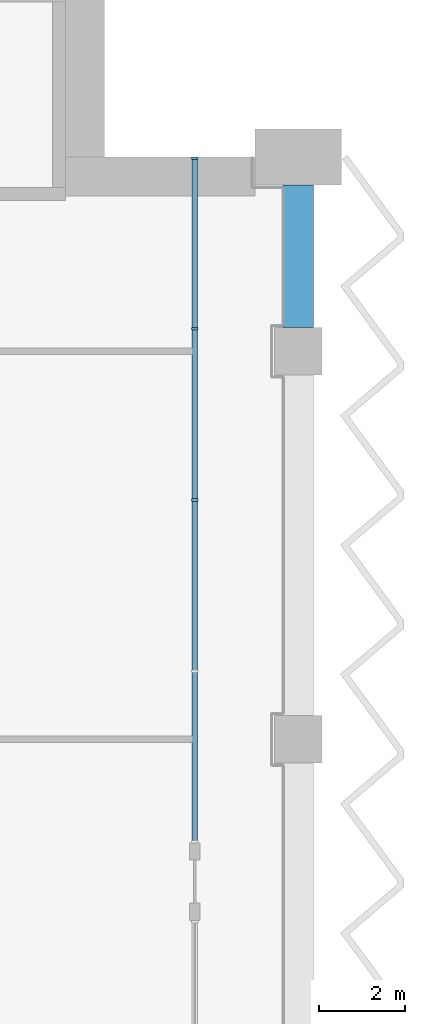
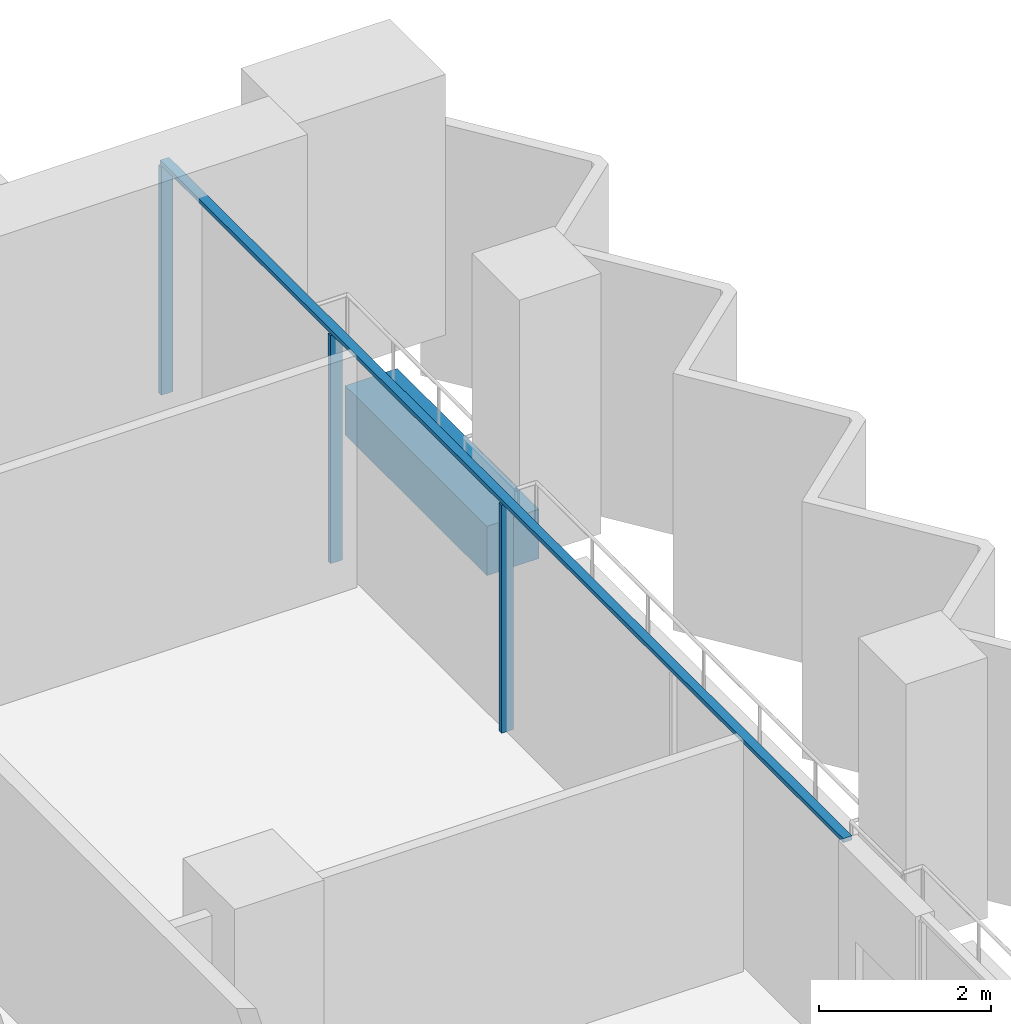
# One storey, part 6 of 23: 4 members, 1 beam, 1 element without a shape of its own.
"""IFC4 building model written with IfcOpenShell, lengths in metres."""

from ifc_helpers import new_model, si_unit, direction, frame, origin, origin_2d, place, context, subcontext, project, spatial, rectangle, extrude, material, material_profile, profile_set, type_object, element, aggregate, save


model = new_model("IFC4")

# Units and contexts
model_context = context("Model", 3, precision=1e-05, world=origin(), true_north=direction((0.0, 1.0)))
body_context = subcontext(model_context, "Body", "Model", "MODEL_VIEW")
ifc_project = project(units=[si_unit("LENGTHUNIT", "METRE"), si_unit("AREAUNIT", "SQUARE_METRE"), si_unit("VOLUMEUNIT", "CUBIC_METRE"), si_unit("PLANEANGLEUNIT", "RADIAN"), si_unit("MASSUNIT", "GRAM", prefix="KILO")], contexts=[model_context])

# Site, building, storey
site_placement = place(None, origin())
site = spatial("IfcSite", under=ifc_project, at=site_placement, CompositionType="ELEMENT")
building_placement = place(site_placement, origin())
building = spatial("IfcBuilding", under=site, at=building_placement, Name="Hunhe Ridgeline Campus", CompositionType="ELEMENT")
storey_placement = place(building_placement, frame((0.0, 0.0, 152.300048828125)))
storey = spatial("IfcBuildingStorey", under=building, at=storey_placement, Name="L38", CompositionType="ELEMENT", Elevation=152.300048828125)

# Curtain wall, members
ifc_material_1 = material(Name="Aluminium 6063", Category="aluminium")
curtain_wall_type = type_object("IfcCurtainWallType", Name="Curtain wall CW-1", PredefinedType="NOTDEFINED", material=ifc_material_1)
curtain_wall_placement = place(storey_placement, origin())
curtain_wall = element("IfcCurtainWall", 1, at=curtain_wall_placement, inside=storey, type_object=curtain_wall_type, Name="Curtain wall 15", PredefinedType="NOTDEFINED")
ifc_material_profile_1 = material_profile(ifc_material_1, rectangle(XDim=0.159912109375, YDim=0.06005859375, at=origin_2d()))
ifc_profile_set_1 = profile_set([ifc_material_profile_1], Name="Aluminium 6063")
member_type_1 = type_object("IfcMemberType", Name="CW-1 aluminium mullion", PredefinedType="MULLION", material=ifc_profile_set_1)
member_1_placement = place(storey_placement, frame((60.59912109375, 86.55029296875, 0.0), z_axis=(0.0, 0.0, 1.0), x_axis=(-1.0, 0.0, 0.0)))
member_1 = element("IfcMember", 2, at=member_1_placement, type_object=member_type_1, Name="CW-1 mullion 3", PredefinedType="MULLION", context=body_context, shape_type="SweptSolid", body=[
    extrude(rectangle(XDim=0.159912109375, YDim=0.06005859375, at=origin_2d()), origin(), (0.0, 0.0, 1.0), 3.239990234375),
])
member_2_placement = place(storey_placement, frame((60.59912109375, 90.525146484375, 0.0), z_axis=(0.0, 0.0, 1.0), x_axis=(-1.0, 0.0, 0.0)))
member_2 = element("IfcMember", 3, at=member_2_placement, type_object=member_type_1, Name="CW-1 mullion 4", PredefinedType="MULLION", context=body_context, shape_type="SweptSolid", body=[
    extrude(rectangle(XDim=0.159912109375, YDim=0.06005859375, at=origin_2d()), origin(), (0.0, 0.0, 1.0), 3.239990234375),
])
member_3_placement = place(storey_placement, frame((60.59912109375, 94.469970703125, 0.0), z_axis=(0.0, 0.0, 1.0), x_axis=(-1.0, 0.0, 0.0)))
member_3 = element("IfcMember", 4, at=member_3_placement, type_object=member_type_1, Name="CW-1 mullion 5", PredefinedType="MULLION", context=body_context, shape_type="SweptSolid", body=[
    extrude(rectangle(XDim=0.159912109375, YDim=0.06005859375, at=origin_2d()), origin(), (0.0, 0.0, 1.0), 3.239990234375),
])
ifc_material_profile_2 = material_profile(ifc_material_1, rectangle(XDim=0.1201171875, YDim=0.06005859375, at=origin_2d()))
ifc_profile_set_2 = profile_set([ifc_material_profile_2], Name="Aluminium 6063")
member_type_2 = type_object("IfcMemberType", Name="CW-1 aluminium transom", PredefinedType="USERDEFINED", material=ifc_profile_set_2)
member_4_placement = place(storey_placement, frame((60.59912109375, 78.6005859375, 3.27001953125), z_axis=(0.0, 1.0, 0.0), x_axis=(-1.0, 0.0, 0.0)))
member_4 = element("IfcMember", 5, at=member_4_placement, type_object=member_type_2, Name="CW-1 transom 1", ObjectType="TRANSOM", PredefinedType="USERDEFINED", context=body_context, shape_type="SweptSolid", body=[
    extrude(rectangle(XDim=0.1201171875, YDim=0.06005859375, at=origin_2d()), origin(), (0.0, 0.0, 1.0), 15.8994140625),
])
aggregate(curtain_wall, [member_4, member_1, member_2, member_3])

# Beam
ifc_material_2 = material(Name="Concrete C60", Category="concrete")
ifc_material_profile_3 = material_profile(ifc_material_2, rectangle(XDim=0.699951171875, YDim=0.699951171875, at=origin_2d()))
ifc_profile_set_3 = profile_set([ifc_material_profile_3], Name="Concrete C60")
beam_type = type_object("IfcBeamType", Name="RC spandrel beam 700x700 Concrete C60", PredefinedType="SPANDREL", material=ifc_profile_set_3)
beam_placement = place(storey_placement, frame((63.0, 90.550048828125, -0.60009765625), z_axis=(0.0, 1.0, 0.0), x_axis=(-1.0, 0.0, 0.0)))
element("IfcBeam", 6, at=beam_placement, inside=storey, type_object=beam_type, Name="Spandrel beam B2-20 L38", PredefinedType="SPANDREL", context=body_context, shape_type="SweptSolid", body=[
    extrude(rectangle(XDim=0.699951171875, YDim=0.699951171875, at=origin_2d()), origin(), (0.0, 0.0, 1.0), 3.300048828125),
])

save(model, "model.ifc")
